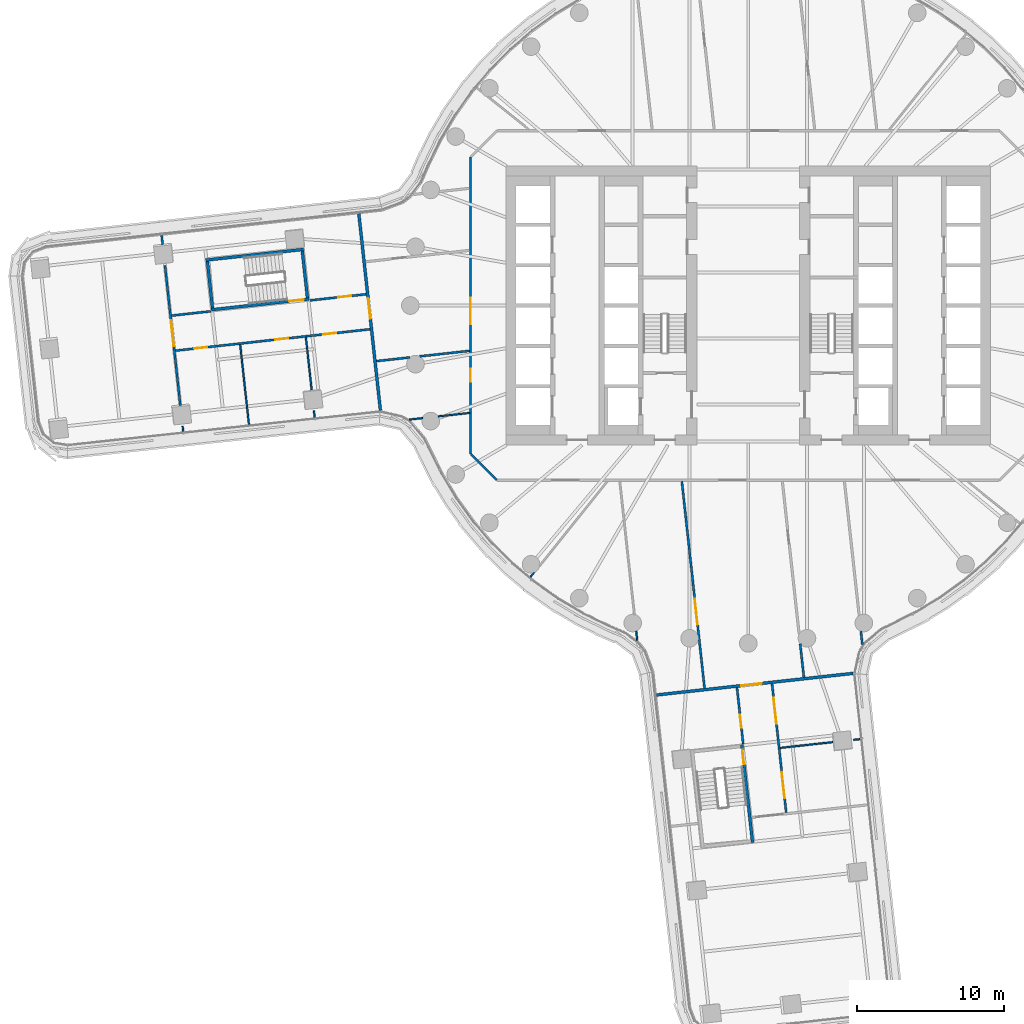
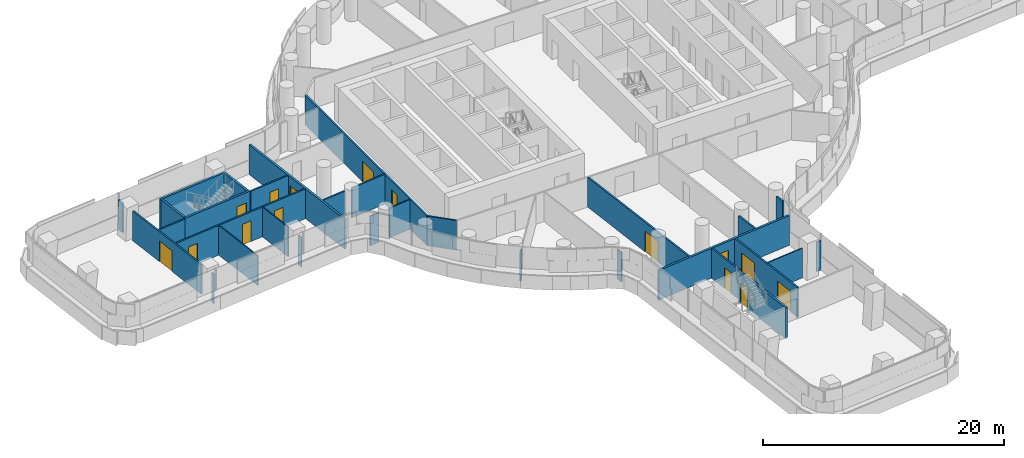
# One storey, part 19 of 31: 31 walls, 15 doors, 15 openings.
"""IFC4 building model written with IfcOpenShell, lengths in metres."""

from ifc_helpers import new_model, si_unit, direction, frame, frame_2d, origin, place, context, subcontext, project, spatial, polyline, rectangle, outline, extrude, material, layer, layer_set, type_object, element, fill, save


model = new_model("IFC4")

# Units and contexts
model_context = context("Model", 3, precision=1e-05, world=origin(), true_north=direction((0.0, 1.0)))
body_context = subcontext(model_context, "Body", "Model", "MODEL_VIEW")
ifc_project = project(units=[si_unit("LENGTHUNIT", "METRE"), si_unit("AREAUNIT", "SQUARE_METRE"), si_unit("VOLUMEUNIT", "CUBIC_METRE"), si_unit("PLANEANGLEUNIT", "RADIAN"), si_unit("MASSUNIT", "GRAM", prefix="KILO")], contexts=[model_context])

# Site, building, storey
site_placement = place(None, origin())
site = spatial("IfcSite", under=ifc_project, at=site_placement, CompositionType="ELEMENT")
building_placement = place(site_placement, origin())
building = spatial("IfcBuilding", under=site, at=building_placement, Name="Tamarind Cross Interchange Tower", CompositionType="ELEMENT")
storey_placement = place(building_placement, frame((0.0, 0.0, 56.5)))
storey = spatial("IfcBuildingStorey", under=building, at=storey_placement, Name="L12", CompositionType="ELEMENT", Elevation=56.5)

# Walls
ifc_material_1 = material(Name="Gypsum board partition on steel studs", Category="steel")
ifc_layer_1 = layer(ifc_material_1, 0.10009765625)
ifc_layer_set_1 = layer_set([ifc_layer_1], Name="Gypsum board partition on steel studs")
wall_type_1 = type_object("IfcWallType", Name="Partition 100 mm EI 90", PredefinedType="PARTITIONING", material=ifc_layer_set_1)
wall_1_placement = place(storey_placement, frame((-38.500244140625, -8.2294921875, 0.0), z_axis=(0.0, 0.0, 1.0), x_axis=(0.109170164393, -0.994023075792, 0.0)))
element("IfcWall", 1, at=wall_1_placement, inside=storey, type_object=wall_type_1, Name="Partition L12-003", PredefinedType="PARTITIONING", context=body_context, shape_type="SweptSolid", body=[
    extrude(rectangle(XDim=0.33984375, YDim=0.10009765625, at=frame_2d((0.169921875, 0.0))), origin(), (0.0, 0.0, 1.0), 3.010009765625),
])
wall_2_placement = place(storey_placement, frame((-34.58447265625, -2.65966796875, 0.0), z_axis=(0.0, 0.0, 1.0), x_axis=(0.109057284994, -0.994035466465, 0.0)))
element("IfcWall", 2, at=wall_2_placement, inside=storey, type_object=wall_type_1, Name="Partition L12-004", PredefinedType="PARTITIONING", context=body_context, shape_type="SweptSolid", body=[
    extrude(rectangle(XDim=5.4599609375, YDim=0.10009765625, at=frame_2d((2.72998046875, 0.0))), origin(), (0.0, 0.0, 1.0), 3.010009765625),
])
wall_3_placement = place(storey_placement, frame((-30.11181640625, -2.16357421875, 0.0), z_axis=(0.0, 0.0, 1.0), x_axis=(0.10911561893, -0.994029064819, 0.0)))
element("IfcWall", 3, at=wall_3_placement, inside=storey, type_object=wall_type_1, Name="Partition L12-005", PredefinedType="PARTITIONING", context=body_context, shape_type="SweptSolid", body=[
    extrude(rectangle(XDim=3.6044921875, YDim=0.10009765625, at=frame_2d((1.80224609375, 0.0))), origin(), (0.0, 0.0, 1.0), 3.010009765625),
])
wall_4_placement = place(storey_placement, frame((-29.5625, -7.1650390625, 0.0), z_axis=(0.0, 0.0, 1.0), x_axis=(0.108802952287, -0.994063336802, 0.0)))
element("IfcWall", 4, at=wall_4_placement, inside=storey, type_object=wall_type_1, Name="Partition L12-006", PredefinedType="PARTITIONING", context=body_context, shape_type="SweptSolid", body=[
    extrude(rectangle(XDim=0.4443359375, YDim=0.10009765625, at=frame_2d((0.22216796875, 0.0))), origin(), (0.0, 0.0, 1.0), 3.010009765625),
])
wall_5_placement = place(storey_placement, frame((-7.62841796875, -22.1591796875, 0.0), z_axis=(0.0, 0.0, 1.0), x_axis=(0.10922431613, -0.994017126998, 0.0)))
element("IfcWall", 5, at=wall_5_placement, inside=storey, type_object=wall_type_1, Name="Partition L12-011", PredefinedType="PARTITIONING", context=body_context, shape_type="SweptSolid", body=[
    extrude(rectangle(XDim=0.643798828125, YDim=0.10009765625, at=frame_2d((0.32177734375, 0.0))), origin(), (0.0, 0.0, 1.0), 3.010009765625),
])
wall_6_placement = place(storey_placement, frame((-23.064697265625, -7.762939453125, 0.0), z_axis=(0.0, 0.0, 1.0), x_axis=(0.993995521714, 0.109420760428, 0.0)))
element("IfcWall", 6, at=wall_6_placement, inside=storey, type_object=wall_type_1, Name="Partition L12-049", PredefinedType="PARTITIONING", context=body_context, shape_type="SweptSolid", body=[
    extrude(rectangle(XDim=0.9013671875, YDim=0.10009765625, at=frame_2d((0.45068359375, 0.0))), origin(), (0.0, 0.0, 1.0), 3.010009765625),
])
wall_7_placement = place(storey_placement, frame((-21.099365234375, -7.546875, 0.0), z_axis=(0.0, 0.0, 1.0), x_axis=(0.994002378956, 0.109358450201, 0.0)))
element("IfcWall", 7, at=wall_7_placement, inside=storey, type_object=wall_type_1, Name="Partition L12-050", PredefinedType="PARTITIONING", context=body_context, shape_type="SweptSolid", body=[
    extrude(rectangle(XDim=2.147705078125, YDim=0.10009765625, at=frame_2d((1.07373046875, 0.0))), origin(), (0.0, 0.0, 1.0), 3.010009765625),
])
wall_8_placement = place(storey_placement, frame((2.168701171875, -30.111328125, 0.0), z_axis=(0.0, 0.0, 1.0), x_axis=(0.994026819323, 0.109136073169, 0.0)))
element("IfcWall", 8, at=wall_8_placement, inside=storey, type_object=wall_type_1, Name="Partition L12-061", PredefinedType="PARTITIONING", context=body_context, shape_type="SweptSolid", body=[
    extrude(rectangle(XDim=3.599365234375, YDim=0.10009765625, at=frame_2d((1.7998046875, 0.0))), origin(), (0.0, 0.0, 1.0), 3.010009765625),
])
wall_9_placement = place(storey_placement, frame((7.1650390625, -29.5625, 0.0), z_axis=(0.0, 0.0, 1.0), x_axis=(0.994063336802, 0.108802952287, 0.0)))
element("IfcWall", 9, at=wall_9_placement, inside=storey, type_object=wall_type_1, Name="Partition L12-062", PredefinedType="PARTITIONING", context=body_context, shape_type="SweptSolid", body=[
    extrude(rectangle(XDim=0.4443359375, YDim=0.10009765625, at=frame_2d((0.22216796875, 0.0))), origin(), (0.0, 0.0, 1.0), 3.010009765625),
])
wall_10_placement = place(storey_placement, frame((-14.816162109375, -18.472900390625, 0.0), z_axis=(0.0, 0.0, 1.0), x_axis=(0.625701600065, 0.780062502416, 0.0)))
element("IfcWall", 10, at=wall_10_placement, inside=storey, type_object=wall_type_1, Name="Partition L12-076", PredefinedType="PARTITIONING", context=body_context, shape_type="SweptSolid", body=[
    extrude(rectangle(XDim=0.38427734375, YDim=0.10009765625, at=frame_2d((0.192138671875, 0.0))), origin(), (0.0, 0.0, 1.0), 3.010009765625),
])
ifc_layer_2 = layer(ifc_material_1, 0.14990234375)
ifc_layer_set_2 = layer_set([ifc_layer_2], Name="Gypsum board partition on steel studs")
wall_type_2 = type_object("IfcWallType", Name="Partition 150 mm EI 120", PredefinedType="PARTITIONING", material=ifc_layer_set_2)
wall_11_placement = place(storey_placement, frame((-39.927978515625, 4.77001953125, 0.0), z_axis=(0.0, 0.0, 1.0), x_axis=(0.109336688642, -0.994004772884, 0.0)))
element("IfcWall", 11, at=wall_11_placement, inside=storey, type_object=wall_type_2, Name="Partition L12-001", PredefinedType="PARTITIONING", context=body_context, shape_type="SweptSolid", body=[
    extrude(rectangle(XDim=0.636474609375, YDim=0.14990234375, at=frame_2d((0.318359375, 0.0))), origin(), (0.0, 0.0, 1.0), 3.010009765625),
])

# Wall, opening, door
wall_12_placement = place(storey_placement, frame((-39.70263671875, 2.71923828125, 0.0), z_axis=(0.0, 0.0, 1.0), x_axis=(0.1091626018, -0.994023906336, 0.0)))
wall_12 = element("IfcWall", 12, at=wall_12_placement, inside=storey, type_object=wall_type_2, Name="Partition L12-002", PredefinedType="PARTITIONING", context=body_context, shape_type="SweptSolid", body=[
    extrude(rectangle(XDim=9.587890625, YDim=0.14990234375, at=frame_2d((4.7939453125, 0.0))), origin(), (0.0, 0.0, 1.0), 3.010009765625),
])
opening_1_placement = place(wall_12_placement, frame((3.735595703125, 0.0, 0.0)))
opening_1 = element("IfcOpeningElement", 13, at=opening_1_placement, cuts=wall_12, Name="Opening D01", PredefinedType="OPENING", context=body_context, shape_type="SweptSolid", body=[
    extrude(rectangle(XDim=1.800048828125, YDim=2.10009765625, at=frame_2d((0.89990234375, 1.050048828125))), frame((0.0, 0.0849609375, 0.0), z_axis=(0.0, -1.0, 0.0), x_axis=(1.0, 0.0, 0.0)), (0.0, 0.0, 1.0), 0.169921875),
])
ifc_material_2 = material(Name="Fire-resisting door set")
door_type_1 = type_object("IfcDoorType", Name="Interior door 1800 x 2100 FD60S", OperationType="DOUBLE_DOOR_SINGLE_SWING", PredefinedType="DOOR", material=ifc_material_2)
door_1_placement = place(opening_1_placement, origin())
door_1 = element("IfcDoor", 14, at=door_1_placement, inside=storey, type_object=door_type_1, Name="Door D01", OperationType="DOUBLE_DOOR_SINGLE_SWING", OverallHeight=2.10009765625, OverallWidth=1.800048828125, PredefinedType="DOOR", context=body_context, shape_type="SweptSolid", body=[
    extrude(rectangle(XDim=1.800048828125, YDim=2.10009765625, at=frame_2d((0.89990234375, 1.050048828125))), frame((0.0, 0.02490234375, 0.0), z_axis=(0.0, -1.0, 0.0), x_axis=(1.0, 0.0, 0.0)), (0.0, 0.0, 1.0), 0.050048828125),
])
fill(opening_1, door_1)

wall_13_placement = place(storey_placement, frame((-4.52294921875, -11.964599609375, 0.0), z_axis=(0.0, 0.0, 1.0), x_axis=(0.109185220686, -0.994021422095, 0.0)))
wall_13 = element("IfcWall", 15, at=wall_13_placement, inside=storey, type_object=wall_type_2, Name="Partition L12-013", PredefinedType="PARTITIONING", context=body_context, shape_type="SweptSolid", body=[
    extrude(rectangle(XDim=14.169677734375, YDim=0.14990234375, at=frame_2d((7.0849609375, 0.0))), origin(), (0.0, 0.0, 1.0), 3.010009765625),
])
opening_2_placement = place(wall_13_placement, frame((8.034912109375, 0.0, 0.0)))
opening_2 = element("IfcOpeningElement", 16, at=opening_2_placement, cuts=wall_13, Name="Opening D03", PredefinedType="OPENING", context=body_context, shape_type="SweptSolid", body=[
    extrude(rectangle(XDim=1.800048828125, YDim=2.10009765625, at=frame_2d((0.89990234375, 1.050048828125))), frame((0.0, 0.0849609375, 0.0), z_axis=(0.0, -1.0, 0.0), x_axis=(1.0, 0.0, 0.0)), (0.0, 0.0, 1.0), 0.169921875),
])
door_2_placement = place(opening_2_placement, frame((1.800048828125, 0.0, 0.0), z_axis=(0.0, 0.0, 1.0), x_axis=(-1.0, 0.0, 0.0)))
door_2 = element("IfcDoor", 17, at=door_2_placement, inside=storey, type_object=door_type_1, Name="Door D03", OperationType="DOUBLE_DOOR_SINGLE_SWING", OverallHeight=2.10009765625, OverallWidth=1.800048828125, PredefinedType="DOOR", context=body_context, shape_type="SweptSolid", body=[
    extrude(rectangle(XDim=1.800048828125, YDim=2.10009765625, at=frame_2d((0.89990234375, 1.050048828125))), frame((0.0, 0.02490234375, 0.0), z_axis=(0.0, -1.0, 0.0), x_axis=(1.0, 0.0, 0.0)), (0.0, 0.0, 1.0), 0.050048828125),
])
fill(opening_2, door_2)

wall_14_placement = place(storey_placement, frame((-0.76708984375, -26.00732421875, 0.0), z_axis=(0.0, 0.0, 1.0), x_axis=(0.109292985031, -0.99400957914, 0.0)))
wall_14 = element("IfcWall", 18, at=wall_14_placement, inside=storey, type_object=wall_type_2, Name="Partition L12-017", PredefinedType="PARTITIONING", context=body_context, shape_type="SweptSolid", body=[
    extrude(rectangle(XDim=3.860107421875, YDim=0.14990234375, at=frame_2d((1.93017578125, 0.0))), origin(), (0.0, 0.0, 1.0), 3.010009765625),
])
opening_3_placement = place(wall_14_placement, frame((1.85009765625, 0.0, 0.0)))
opening_3 = element("IfcOpeningElement", 19, at=opening_3_placement, cuts=wall_14, Name="Opening D07", PredefinedType="OPENING", context=body_context, shape_type="SweptSolid", body=[
    extrude(rectangle(XDim=0.89990234375, YDim=2.10009765625, at=frame_2d((0.449951171875, 1.050048828125))), frame((0.0, 0.0849609375, 0.0), z_axis=(0.0, -1.0, 0.0), x_axis=(1.0, 0.0, 0.0)), (0.0, 0.0, 1.0), 0.169921875),
])
door_type_2 = type_object("IfcDoorType", Name="Interior door 900 x 2100 FD60S", OperationType="SINGLE_SWING_LEFT", PredefinedType="DOOR", material=ifc_material_2)
door_3_placement = place(opening_3_placement, frame((0.89990234375, 0.0, 0.0), z_axis=(0.0, 0.0, 1.0), x_axis=(-1.0, 0.0, 0.0)))
door_3 = element("IfcDoor", 20, at=door_3_placement, inside=storey, type_object=door_type_2, Name="Door D07", OperationType="SINGLE_SWING_RIGHT", OverallHeight=2.10009765625, OverallWidth=0.89990234375, PredefinedType="DOOR", context=body_context, shape_type="SweptSolid", body=[
    extrude(rectangle(XDim=0.89990234375, YDim=2.10009765625, at=frame_2d((0.449951171875, 1.050048828125))), frame((0.0, 0.02490234375, 0.0), z_axis=(0.0, -1.0, 0.0), x_axis=(1.0, 0.0, 0.0)), (0.0, 0.0, 1.0), 0.050048828125),
])
fill(opening_3, door_3)

# Wall, openings, doors
wall_15_placement = place(storey_placement, frame((1.618896484375, -25.745361328125, 0.0), z_axis=(0.0, 0.0, 1.0), x_axis=(0.109132579616, -0.99402720288, 0.0)))
wall_15 = element("IfcWall", 21, at=wall_15_placement, inside=storey, type_object=wall_type_2, Name="Partition L12-020", PredefinedType="PARTITIONING", context=body_context, shape_type="SweptSolid", body=[
    extrude(rectangle(XDim=8.829833984375, YDim=0.14990234375, at=frame_2d((4.4150390625, 0.0))), origin(), (0.0, 0.0, 1.0), 3.010009765625),
])
opening_4_placement = place(wall_15_placement, frame((6.0498046875, 0.0, 0.0)))
opening_4 = element("IfcOpeningElement", 22, at=opening_4_placement, cuts=wall_15, Name="Opening D10", PredefinedType="OPENING", context=body_context, shape_type="SweptSolid", body=[
    extrude(rectangle(XDim=1.800048828125, YDim=2.10009765625, at=frame_2d((0.89990234375, 1.050048828125))), frame((0.0, 0.0849609375, 0.0), z_axis=(0.0, -1.0, 0.0), x_axis=(1.0, 0.0, 0.0)), (0.0, 0.0, 1.0), 0.169921875),
])
opening_5_placement = place(wall_15_placement, frame((0.949951171875, 0.0, 0.0)))
opening_5 = element("IfcOpeningElement", 23, at=opening_5_placement, cuts=wall_15, Name="Opening D11", PredefinedType="OPENING", context=body_context, shape_type="SweptSolid", body=[
    extrude(rectangle(XDim=1.800048828125, YDim=2.10009765625, at=frame_2d((0.89990234375, 1.050048828125))), frame((0.0, 0.0849609375, 0.0), z_axis=(0.0, -1.0, 0.0), x_axis=(1.0, 0.0, 0.0)), (0.0, 0.0, 1.0), 0.169921875),
])
door_4_placement = place(opening_4_placement, origin())
door_4 = element("IfcDoor", 24, at=door_4_placement, inside=storey, type_object=door_type_1, Name="Door D10", OperationType="DOUBLE_DOOR_SINGLE_SWING", OverallHeight=2.10009765625, OverallWidth=1.800048828125, PredefinedType="DOOR", context=body_context, shape_type="SweptSolid", body=[
    extrude(rectangle(XDim=1.800048828125, YDim=2.10009765625, at=frame_2d((0.89990234375, 1.050048828125))), frame((0.0, 0.02490234375, 0.0), z_axis=(0.0, -1.0, 0.0), x_axis=(1.0, 0.0, 0.0)), (0.0, 0.0, 1.0), 0.050048828125),
])
fill(opening_4, door_4)
door_5_placement = place(opening_5_placement, origin())
door_5 = element("IfcDoor", 25, at=door_5_placement, inside=storey, type_object=door_type_1, Name="Door D11", OperationType="DOUBLE_DOOR_SINGLE_SWING", OverallHeight=2.10009765625, OverallWidth=1.800048828125, PredefinedType="DOOR", context=body_context, shape_type="SweptSolid", body=[
    extrude(rectangle(XDim=1.800048828125, YDim=2.10009765625, at=frame_2d((0.89990234375, 1.050048828125))), frame((0.0, 0.02490234375, 0.0), z_axis=(0.0, -1.0, 0.0), x_axis=(1.0, 0.0, 0.0)), (0.0, 0.0, 1.0), 0.050048828125),
])
fill(opening_5, door_5)

# Walls
wall_16_placement = place(storey_placement, frame((3.533203125, -23.023193359375, 0.0), z_axis=(0.0, 0.0, 1.0), x_axis=(0.10925332295, -0.994013939251, 0.0)))
element("IfcWall", 26, at=wall_16_placement, inside=storey, type_object=wall_type_2, Name="Partition L12-022", PredefinedType="PARTITIONING", context=body_context, shape_type="SweptSolid", body=[
    extrude(rectangle(XDim=2.297119140625, YDim=0.14990234375, at=frame_2d((1.1484375, 0.0))), origin(), (0.0, 0.0, 1.0), 3.010009765625),
])
wall_17_placement = place(storey_placement, frame((7.664306640625, -22.168701171875, 0.0), z_axis=(0.0, 0.0, 1.0), x_axis=(0.109420760428, -0.993995521714, 0.0)))
element("IfcWall", 27, at=wall_17_placement, inside=storey, type_object=wall_type_2, Name="Partition L12-026", PredefinedType="PARTITIONING", context=body_context, shape_type="SweptSolid", body=[
    extrude(rectangle(XDim=0.9013671875, YDim=0.14990234375, at=frame_2d((0.45068359375, 0.0))), origin(), (0.0, 0.0, 1.0), 3.010009765625),
])
wall_18_placement = place(storey_placement, frame((-18.87158203125, -10.12841796875, 0.0), z_axis=(0.0, 0.0, 1.0), x_axis=(0.707106781187, -0.707106781187, 0.0)))
element("IfcWall", 28, at=wall_18_placement, inside=storey, type_object=wall_type_2, Name="Partition L12-035", PredefinedType="PARTITIONING", context=body_context, shape_type="SweptSolid", body=[
    extrude(rectangle(XDim=2.465087890625, YDim=0.14990234375, at=frame_2d((1.232421875, 0.0))), origin(), (0.0, 0.0, 1.0), 3.010009765625),
])
wall_19_placement = place(storey_placement, frame((-39.25341796875, -0.687744140625, 0.0), z_axis=(0.0, 0.0, 1.0), x_axis=(0.994021535997, 0.109184183714, 0.0)))
element("IfcWall", 29, at=wall_19_placement, inside=storey, type_object=wall_type_2, Name="Partition L12-043", PredefinedType="PARTITIONING", context=body_context, shape_type="SweptSolid", body=[
    extrude(rectangle(XDim=2.685546875, YDim=0.14990234375, at=frame_2d((1.3427734375, 0.0))), origin(), (0.0, 0.0, 1.0), 3.010009765625),
])

# Wall, opening, door
wall_20_placement = place(storey_placement, frame((-29.84423828125, 0.345703125, 0.0), z_axis=(0.0, 0.0, 1.0), x_axis=(0.994023313835, 0.109167996925, 0.0)))
wall_20 = element("IfcWall", 30, at=wall_20_placement, inside=storey, type_object=wall_type_2, Name="Partition L12-044", PredefinedType="PARTITIONING", context=body_context, shape_type="SweptSolid", body=[
    extrude(rectangle(XDim=3.85986328125, YDim=0.14990234375, at=frame_2d((1.929931640625, 0.0))), origin(), (0.0, 0.0, 1.0), 3.010009765625),
])
opening_6_placement = place(wall_20_placement, frame((1.949951171875, 0.0, 0.0)))
opening_6 = element("IfcOpeningElement", 31, at=opening_6_placement, cuts=wall_20, Name="Opening D22", PredefinedType="OPENING", context=body_context, shape_type="SweptSolid", body=[
    extrude(rectangle(XDim=0.89990234375, YDim=2.10009765625, at=frame_2d((0.449951171875, 1.050048828125))), frame((0.0, 0.0849609375, 0.0), z_axis=(0.0, -1.0, 0.0), x_axis=(1.0, 0.0, 0.0)), (0.0, 0.0, 1.0), 0.169921875),
])
door_6_placement = place(opening_6_placement, origin())
door_6 = element("IfcDoor", 32, at=door_6_placement, inside=storey, type_object=door_type_2, Name="Door D22", OperationType="SINGLE_SWING_LEFT", OverallHeight=2.10009765625, OverallWidth=0.89990234375, PredefinedType="DOOR", context=body_context, shape_type="SweptSolid", body=[
    extrude(rectangle(XDim=0.89990234375, YDim=2.10009765625, at=frame_2d((0.449951171875, 1.050048828125))), frame((0.0, 0.02490234375, 0.0), z_axis=(0.0, -1.0, 0.0), x_axis=(1.0, 0.0, 0.0)), (0.0, 0.0, 1.0), 0.050048828125),
])
fill(opening_6, door_6)

# Wall, openings, doors
wall_21_placement = place(storey_placement, frame((-38.991455078125, -3.07373046875, 0.0), z_axis=(0.0, 0.0, 1.0), x_axis=(0.994008437247, 0.10930336995, 0.0)))
wall_21 = element("IfcWall", 33, at=wall_21_placement, inside=storey, type_object=wall_type_2, Name="Partition L12-045", PredefinedType="PARTITIONING", context=body_context, shape_type="SweptSolid", body=[
    extrude(rectangle(XDim=13.32568359375, YDim=0.14990234375, at=frame_2d((6.662841796875, 0.0))), origin(), (0.0, 0.0, 1.0), 3.010009765625),
])
opening_7_placement = place(wall_21_placement, frame((10.125732421875, 0.0, 0.0)))
opening_7 = element("IfcOpeningElement", 34, at=opening_7_placement, cuts=wall_21, Name="Opening D23", PredefinedType="OPENING", context=body_context, shape_type="SweptSolid", body=[
    extrude(rectangle(XDim=0.89990234375, YDim=2.10009765625, at=frame_2d((0.449951171875, 1.050048828125))), frame((0.0, 0.0849609375, 0.0), z_axis=(0.0, -1.0, 0.0), x_axis=(1.0, 0.0, 0.0)), (0.0, 0.0, 1.0), 0.169921875),
])
opening_8_placement = place(wall_21_placement, frame((6.825927734375, 0.0, 0.0)))
opening_8 = element("IfcOpeningElement", 35, at=opening_8_placement, cuts=wall_21, Name="Opening D24", PredefinedType="OPENING", context=body_context, shape_type="SweptSolid", body=[
    extrude(rectangle(XDim=0.89990234375, YDim=2.10009765625, at=frame_2d((0.449951171875, 1.050048828125))), frame((0.0, 0.0849609375, 0.0), z_axis=(0.0, -1.0, 0.0), x_axis=(1.0, 0.0, 0.0)), (0.0, 0.0, 1.0), 0.169921875),
])
opening_9_placement = place(wall_21_placement, frame((1.27490234375, 0.0, 0.0)))
opening_9 = element("IfcOpeningElement", 36, at=opening_9_placement, cuts=wall_21, Name="Opening D25", PredefinedType="OPENING", context=body_context, shape_type="SweptSolid", body=[
    extrude(rectangle(XDim=0.89990234375, YDim=2.10009765625, at=frame_2d((0.449951171875, 1.050048828125))), frame((0.0, 0.0849609375, 0.0), z_axis=(0.0, -1.0, 0.0), x_axis=(1.0, 0.0, 0.0)), (0.0, 0.0, 1.0), 0.169921875),
])
door_7_placement = place(opening_7_placement, frame((0.89990234375, 0.0, 0.0), z_axis=(0.0, 0.0, 1.0), x_axis=(-1.0, 0.0, 0.0)))
door_7 = element("IfcDoor", 37, at=door_7_placement, inside=storey, type_object=door_type_2, Name="Door D23", OperationType="SINGLE_SWING_RIGHT", OverallHeight=2.10009765625, OverallWidth=0.89990234375, PredefinedType="DOOR", context=body_context, shape_type="SweptSolid", body=[
    extrude(rectangle(XDim=0.89990234375, YDim=2.10009765625, at=frame_2d((0.449951171875, 1.050048828125))), frame((0.0, 0.02490234375, 0.0), z_axis=(0.0, -1.0, 0.0), x_axis=(1.0, 0.0, 0.0)), (0.0, 0.0, 1.0), 0.050048828125),
])
fill(opening_7, door_7)
door_8_placement = place(opening_8_placement, frame((0.89990234375, 0.0, 0.0), z_axis=(0.0, 0.0, 1.0), x_axis=(-1.0, 0.0, 0.0)))
door_8 = element("IfcDoor", 38, at=door_8_placement, inside=storey, type_object=door_type_2, Name="Door D24", OperationType="SINGLE_SWING_RIGHT", OverallHeight=2.10009765625, OverallWidth=0.89990234375, PredefinedType="DOOR", context=body_context, shape_type="SweptSolid", body=[
    extrude(rectangle(XDim=0.89990234375, YDim=2.10009765625, at=frame_2d((0.449951171875, 1.050048828125))), frame((0.0, 0.02490234375, 0.0), z_axis=(0.0, -1.0, 0.0), x_axis=(1.0, 0.0, 0.0)), (0.0, 0.0, 1.0), 0.050048828125),
])
fill(opening_8, door_8)
door_9_placement = place(opening_9_placement, frame((0.89990234375, 0.0, 0.0), z_axis=(0.0, 0.0, 1.0), x_axis=(-1.0, 0.0, 0.0)))
door_9 = element("IfcDoor", 39, at=door_9_placement, inside=storey, type_object=door_type_2, Name="Door D25", OperationType="SINGLE_SWING_LEFT", OverallHeight=2.10009765625, OverallWidth=0.89990234375, PredefinedType="DOOR", context=body_context, shape_type="SweptSolid", body=[
    extrude(rectangle(XDim=0.89990234375, YDim=2.10009765625, at=frame_2d((0.449951171875, 1.050048828125))), frame((0.0, 0.02490234375, 0.0), z_axis=(0.0, -1.0, 0.0), x_axis=(1.0, 0.0, 0.0)), (0.0, 0.0, 1.0), 0.050048828125),
])
fill(opening_9, door_9)

# Walls
wall_22_placement = place(storey_placement, frame((-25.306640625, -3.7841796875, 0.0), z_axis=(0.0, 0.0, 1.0), x_axis=(0.994013939251, 0.10925332295, 0.0)))
element("IfcWall", 40, at=wall_22_placement, inside=storey, type_object=wall_type_2, Name="Partition L12-047", PredefinedType="PARTITIONING", context=body_context, shape_type="SweptSolid", body=[
    extrude(rectangle(XDim=2.297119140625, YDim=0.14990234375, at=frame_2d((1.1484375, 0.0))), origin(), (0.0, 0.0, 1.0), 3.010009765625),
])
wall_23_placement = place(storey_placement, frame((-22.364013671875, -3.460693359375, 0.0), z_axis=(0.0, 0.0, 1.0), x_axis=(0.994017073769, 0.109224800551, 0.0)))
element("IfcWall", 41, at=wall_23_placement, inside=storey, type_object=wall_type_2, Name="Partition L12-048", PredefinedType="PARTITIONING", context=body_context, shape_type="SweptSolid", body=[
    extrude(rectangle(XDim=3.419921875, YDim=0.14990234375, at=frame_2d((1.7099609375, 0.0))), origin(), (0.0, 0.0, 1.0), 3.010009765625),
])

# Wall, openings, doors
wall_24_placement = place(storey_placement, frame((-18.89990234375, -10.10009765625, 0.0), z_axis=(0.0, 0.0, 1.0), x_axis=(0.0, 1.0, 0.0)))
wall_24 = element("IfcWall", 42, at=wall_24_placement, inside=storey, type_object=wall_type_2, Name="Partition L12-080", PredefinedType="PARTITIONING", context=body_context, shape_type="SweptSolid", body=[
    extrude(rectangle(XDim=20.2001953125, YDim=0.14990234375, at=frame_2d((10.10009765625, 0.0))), origin(), (0.0, 0.0, 1.0), 3.010009765625),
])
opening_10_placement = place(wall_24_placement, frame((8.820068359375, 0.0, 0.0)))
opening_10 = element("IfcOpeningElement", 43, at=opening_10_placement, cuts=wall_24, Name="Opening D37", PredefinedType="OPENING", context=body_context, shape_type="SweptSolid", body=[
    extrude(rectangle(XDim=1.800048828125, YDim=2.10009765625, at=frame_2d((0.89990234375, 1.050048828125))), frame((0.0, 0.0849609375, 0.0), z_axis=(0.0, -1.0, 0.0), x_axis=(1.0, 0.0, 0.0)), (0.0, 0.0, 1.0), 0.169921875),
])
opening_11_placement = place(wall_24_placement, frame((4.89501953125, 0.0, 0.0)))
opening_11 = element("IfcOpeningElement", 44, at=opening_11_placement, cuts=wall_24, Name="Opening D38", PredefinedType="OPENING", context=body_context, shape_type="SweptSolid", body=[
    extrude(rectangle(XDim=0.89990234375, YDim=2.10009765625, at=frame_2d((0.449951171875, 1.050048828125))), frame((0.0, 0.0849609375, 0.0), z_axis=(0.0, -1.0, 0.0), x_axis=(1.0, 0.0, 0.0)), (0.0, 0.0, 1.0), 0.169921875),
])
door_10_placement = place(opening_10_placement, frame((1.800048828125, 0.0, 0.0), z_axis=(0.0, 0.0, 1.0), x_axis=(-1.0, 0.0, 0.0)))
door_10 = element("IfcDoor", 45, at=door_10_placement, inside=storey, type_object=door_type_1, Name="Door D37", OperationType="DOUBLE_DOOR_SINGLE_SWING", OverallHeight=2.10009765625, OverallWidth=1.800048828125, PredefinedType="DOOR", context=body_context, shape_type="SweptSolid", body=[
    extrude(rectangle(XDim=1.800048828125, YDim=2.10009765625, at=frame_2d((0.89990234375, 1.050048828125))), frame((0.0, 0.02490234375, 0.0), z_axis=(0.0, -1.0, 0.0), x_axis=(1.0, 0.0, 0.0)), (0.0, 0.0, 1.0), 0.050048828125),
])
fill(opening_10, door_10)
door_11_placement = place(opening_11_placement, origin())
door_11 = element("IfcDoor", 46, at=door_11_placement, inside=storey, type_object=door_type_2, Name="Door D38", OperationType="SINGLE_SWING_RIGHT", OverallHeight=2.10009765625, OverallWidth=0.89990234375, PredefinedType="DOOR", context=body_context, shape_type="SweptSolid", body=[
    extrude(rectangle(XDim=0.89990234375, YDim=2.10009765625, at=frame_2d((0.449951171875, 1.050048828125))), frame((0.0, 0.02490234375, 0.0), z_axis=(0.0, -1.0, 0.0), x_axis=(1.0, 0.0, 0.0)), (0.0, 0.0, 1.0), 0.050048828125),
])
fill(opening_11, door_11)

# Wall, opening, door
ifc_layer_3 = layer(ifc_material_1, 0.199951171875)
ifc_layer_set_3 = layer_set([ifc_layer_3], Name="Gypsum board partition on steel studs")
wall_type_3 = type_object("IfcWallType", Name="Partition 200 mm EI 180", PredefinedType="PARTITIONING", material=ifc_layer_set_3)
wall_25_placement = place(storey_placement, frame((-26.5087890625, 6.243896484375, 0.0), z_axis=(0.0, 0.0, 1.0), x_axis=(0.109278642285, -0.994011156044, 0.0)))
wall_25 = element("IfcWall", 47, at=wall_25_placement, inside=storey, type_object=wall_type_3, Name="Partition L12-007", PredefinedType="PARTITIONING", context=body_context, shape_type="SweptSolid", body=[
    extrude(rectangle(XDim=13.458251953125, YDim=0.199951171875, at=frame_2d((6.72900390625, 0.0))), origin(), (0.0, 0.0, 1.0), 3.010009765625),
])
opening_12_placement = place(wall_25_placement, frame((5.798828125, 0.0, 0.0)))
opening_12 = element("IfcOpeningElement", 48, at=opening_12_placement, cuts=wall_25, Name="Opening D02", PredefinedType="OPENING", context=body_context, shape_type="SweptSolid", body=[
    extrude(rectangle(XDim=1.39990234375, YDim=2.10009765625, at=frame_2d((0.699951171875, 1.050048828125))), frame((0.0, 0.10986328125, 0.0), z_axis=(0.0, -1.0, 0.0), x_axis=(1.0, 0.0, 0.0)), (0.0, 0.0, 1.0), 0.219970703125),
])
door_type_3 = type_object("IfcDoorType", Name="Interior door 1400 x 2100 FD120S", OperationType="DOUBLE_DOOR_SINGLE_SWING", PredefinedType="DOOR", material=ifc_material_2)
door_12_placement = place(opening_12_placement, origin())
door_12 = element("IfcDoor", 49, at=door_12_placement, inside=storey, type_object=door_type_3, Name="Door D02", OperationType="DOUBLE_DOOR_SINGLE_SWING", OverallHeight=2.10009765625, OverallWidth=1.39990234375, PredefinedType="DOOR", context=body_context, shape_type="SweptSolid", body=[
    extrude(rectangle(XDim=1.39990234375, YDim=2.10009765625, at=frame_2d((0.699951171875, 1.050048828125))), frame((0.0, 0.02490234375, 0.0), z_axis=(0.0, -1.0, 0.0), x_axis=(1.0, 0.0, 0.0)), (0.0, 0.0, 1.0), 0.050048828125),
])
fill(opening_12, door_12)

wall_26_placement = place(storey_placement, frame((-6.243896484375, -26.5087890625, 0.0), z_axis=(0.0, 0.0, 1.0), x_axis=(0.994011156044, 0.109278642285, 0.0)))
wall_26 = element("IfcWall", 50, at=wall_26_placement, inside=storey, type_object=wall_type_3, Name="Partition L12-056", PredefinedType="PARTITIONING", context=body_context, shape_type="SweptSolid", body=[
    extrude(rectangle(XDim=13.458251953125, YDim=0.199951171875, at=frame_2d((6.72900390625, 0.0))), origin(), (0.0, 0.0, 1.0), 3.010009765625),
])
opening_13_placement = place(wall_26_placement, frame((5.798828125, 0.0, 0.0)))
opening_13 = element("IfcOpeningElement", 51, at=opening_13_placement, cuts=wall_26, Name="Opening D30", PredefinedType="OPENING", context=body_context, shape_type="SweptSolid", body=[
    extrude(rectangle(XDim=1.39990234375, YDim=2.10009765625, at=frame_2d((0.699951171875, 1.050048828125))), frame((0.0, 0.10986328125, 0.0), z_axis=(0.0, -1.0, 0.0), x_axis=(1.0, 0.0, 0.0)), (0.0, 0.0, 1.0), 0.219970703125),
])
door_13_placement = place(opening_13_placement, origin())
door_13 = element("IfcDoor", 52, at=door_13_placement, inside=storey, type_object=door_type_3, Name="Door D30", OperationType="DOUBLE_DOOR_SINGLE_SWING", OverallHeight=2.10009765625, OverallWidth=1.39990234375, PredefinedType="DOOR", context=body_context, shape_type="SweptSolid", body=[
    extrude(rectangle(XDim=1.39990234375, YDim=2.10009765625, at=frame_2d((0.699951171875, 1.050048828125))), frame((0.0, 0.02490234375, 0.0), z_axis=(0.0, -1.0, 0.0), x_axis=(1.0, 0.0, 0.0)), (0.0, 0.0, 1.0), 0.050048828125),
])
fill(opening_13, door_13)

ifc_material_3 = material(Name="Concrete C40", Category="concrete")
ifc_layer_4 = layer(ifc_material_3, 0.199951171875)
ifc_layer_set_4 = layer_set([ifc_layer_4], Name="Concrete C40")
wall_type_4 = type_object("IfcWallType", Name="Stair shaft wall 200 mm Concrete C40", PredefinedType="SHEAR", material=ifc_layer_set_4)
wall_27_placement = place(storey_placement, frame((-29.895263671875, 0.4404296875, -0.139892578125), z_axis=(0.0, 0.0, 1.0), x_axis=(-0.99402291579, -0.109171621236, 0.0)))
wall_27 = element("IfcWall", 53, at=wall_27_placement, inside=storey, type_object=wall_type_4, Name="Core wall CWL-L12-ST5-H", PredefinedType="SHEAR", context=body_context, shape_type="SweptSolid", body=[
    extrude(rectangle(XDim=6.699951171875, YDim=0.199951171875, at=frame_2d((3.35009765625, 0.0))), origin(), (0.0, 0.0, 1.0), 3.14990234375),
])
opening_14_placement = place(wall_27_placement, frame((0.35009765625, 0.0, 0.0)))
opening_14 = element("IfcOpeningElement", 54, at=opening_14_placement, cuts=wall_27, Name="Opening ST5L12", PredefinedType="OPENING", context=body_context, shape_type="SweptSolid", body=[
    extrude(rectangle(XDim=1.0, YDim=2.10009765625, at=frame_2d((0.5, 1.050048828125))), frame((0.0, 0.10986328125, 0.0), z_axis=(0.0, -1.0, 0.0), x_axis=(1.0, 0.0, 0.0)), (0.0, 0.0, 1.0), 0.219970703125),
])
ifc_material_4 = material(Name="Steel, fire-resisting", Category="steel")
door_type_4 = type_object("IfcDoorType", Name="Core fire door 1000 x 2100 FD90", OperationType="SINGLE_SWING_LEFT", PredefinedType="DOOR", material=ifc_material_4)
door_14_placement = place(opening_14_placement, origin())
door_14 = element("IfcDoor", 55, at=door_14_placement, inside=storey, type_object=door_type_4, Name="L12 stair door ST5", OperationType="SINGLE_SWING_LEFT", OverallHeight=2.10009765625, OverallWidth=1.0, PredefinedType="DOOR", context=body_context, shape_type="SweptSolid", body=[
    extrude(rectangle(XDim=1.0, YDim=2.10009765625, at=frame_2d((0.5, 1.050048828125))), frame((0.0, 0.02490234375, 0.0), z_axis=(0.0, -1.0, 0.0), x_axis=(1.0, 0.0, 0.0)), (0.0, 0.0, 1.0), 0.050048828125),
])
fill(opening_14, door_14)

# Walls
wall_28_placement = place(storey_placement, frame((-30.2666015625, 3.8203125, -0.139892578125), z_axis=(0.0, 0.0, 1.0), x_axis=(-0.994018960813, -0.10920762585, 0.0)))
element("IfcWall", 56, at=wall_28_placement, inside=storey, type_object=wall_type_4, Name="Core wall CWL-L12-ST5-C", PredefinedType="SHEAR", context=body_context, shape_type="SweptSolid", body=[
    extrude(rectangle(XDim=6.699951171875, YDim=0.199951171875, at=frame_2d((3.35009765625, 0.0))), origin(), (0.0, 0.0, 1.0), 3.14990234375),
])
wall_29_placement = place(storey_placement, frame((-30.35498046875, 3.7099609375, -0.139892578125), z_axis=(0.0, 0.0, 1.0), x_axis=(0.109175393326, -0.994022501502, 0.0)))
element("IfcWall", 57, at=wall_29_placement, inside=storey, type_object=wall_type_4, Name="Core wall CWL-L12-ST5-CE", PredefinedType="SHEAR", context=body_context, shape_type="SweptSolid", body=[
    extrude(rectangle(XDim=3.199951171875, YDim=0.199951171875, at=frame_2d((1.60009765625, 0.0))), origin(), (0.0, 0.0, 1.0), 3.14990234375),
])
wall_30_placement = place(storey_placement, frame((0.0, 0.0, -0.139892578125)))
element("IfcWall", 58, at=wall_30_placement, inside=storey, type_object=wall_type_4, Name="Core wall CWL-L12-ST5-CF", PredefinedType="SHEAR", context=body_context, shape_type="SweptSolid", body=[
    extrude(outline(polyline([(-36.716796875, 3.010986328125), (-36.91552734375, 2.9892578125), (-36.566162109375, -0.191650390625), (-36.367431640625, -0.169921875), (-36.716796875, 3.010986328125)])), origin(), (0.0, 0.0, 1.0), 3.14990234375),
])

# Wall, opening, door
wall_31_placement = place(storey_placement, frame((-0.4404296875, -29.895263671875, -0.139892578125), z_axis=(0.0, 0.0, 1.0), x_axis=(0.109171621236, -0.99402291579, 0.0)))
wall_31 = element("IfcWall", 59, at=wall_31_placement, inside=storey, type_object=wall_type_4, Name="Core wall CWL-L12-ST6-H", PredefinedType="SHEAR", context=body_context, shape_type="SweptSolid", body=[
    extrude(rectangle(XDim=6.699951171875, YDim=0.199951171875, at=frame_2d((3.35009765625, 0.0))), origin(), (0.0, 0.0, 1.0), 3.14990234375),
])
opening_15_placement = place(wall_31_placement, frame((0.35009765625, 0.0, 0.0)))
opening_15 = element("IfcOpeningElement", 60, at=opening_15_placement, cuts=wall_31, Name="Opening ST6L12", PredefinedType="OPENING", context=body_context, shape_type="SweptSolid", body=[
    extrude(rectangle(XDim=1.0, YDim=2.10009765625, at=frame_2d((0.5, 1.050048828125))), frame((0.0, 0.10986328125, 0.0), z_axis=(0.0, -1.0, 0.0), x_axis=(1.0, 0.0, 0.0)), (0.0, 0.0, 1.0), 0.219970703125),
])
door_15_placement = place(opening_15_placement, origin())
door_15 = element("IfcDoor", 61, at=door_15_placement, inside=storey, type_object=door_type_4, Name="L12 stair door ST6", OperationType="SINGLE_SWING_LEFT", OverallHeight=2.10009765625, OverallWidth=1.0, PredefinedType="DOOR", context=body_context, shape_type="SweptSolid", body=[
    extrude(rectangle(XDim=1.0, YDim=2.10009765625, at=frame_2d((0.5, 1.050048828125))), frame((0.0, 0.02490234375, 0.0), z_axis=(0.0, -1.0, 0.0), x_axis=(1.0, 0.0, 0.0)), (0.0, 0.0, 1.0), 0.050048828125),
])
fill(opening_15, door_15)

save(model, "model.ifc")
